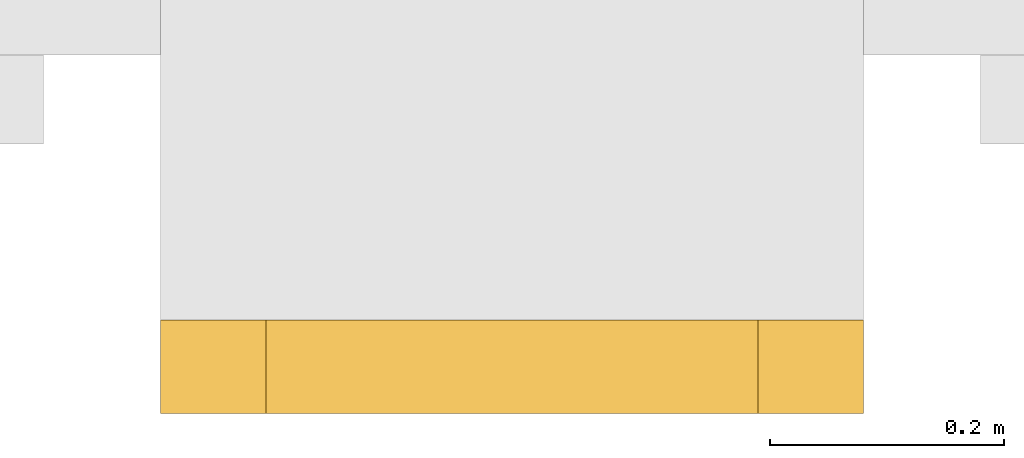
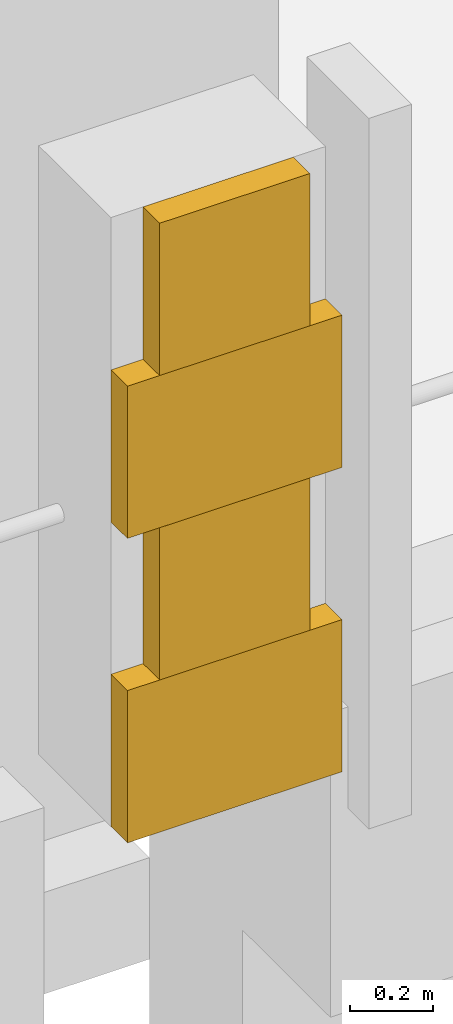
# One storey, part 52 of 52: 4 coverings.
"""IFC4 building model written with IfcOpenShell, lengths in metres."""

from ifc_helpers import new_model, si_unit, direction, frame, origin, place, context, subcontext, project, spatial, polyline, outline, extrude, material, layer, layer_set, type_object, element, save


model = new_model("IFC4")

# Units and contexts
model_context = context("Model", 3, precision=1e-05, world=origin(), true_north=direction((0.0, 1.0)))
body_context = subcontext(model_context, "Body", "Model", "MODEL_VIEW")
ifc_project = project(units=[si_unit("LENGTHUNIT", "METRE"), si_unit("AREAUNIT", "SQUARE_METRE"), si_unit("VOLUMEUNIT", "CUBIC_METRE"), si_unit("PLANEANGLEUNIT", "RADIAN"), si_unit("MASSUNIT", "GRAM", prefix="KILO")], contexts=[model_context])

# Site, building, storey
site_placement = place(None, origin())
site = spatial("IfcSite", under=ifc_project, at=site_placement, CompositionType="ELEMENT")
building_placement = place(site_placement, origin())
building = spatial("IfcBuilding", under=site, at=building_placement, Name="Cour d'Honneur Mobility Palace", CompositionType="ELEMENT")
storey_placement = place(building_placement, frame((0.0, 0.0, 23.0)))
storey = spatial("IfcBuildingStorey", under=building, at=storey_placement, Name="L06", CompositionType="ELEMENT", Elevation=23.0)

# Coverings
ifc_material = material(Name="Cast limestone", Category="masonry")
ifc_layer = layer(ifc_material, 0.080078125)
ifc_layer_set = layer_set([ifc_layer], Name="Cast limestone")
covering_type = type_object("IfcCoveringType", Name="Quoin block", PredefinedType="CLADDING", material=ifc_layer_set)
covering_1_placement = place(storey_placement, frame((0.0, 0.0, 0.300048828125)))
element("IfcCovering", 1, at=covering_1_placement, inside=storey, type_object=covering_type, Name="Quoin block QN-45", PredefinedType="CLADDING", context=body_context, shape_type="SweptSolid", body=[
    extrude(outline(polyline([(153.300048828125, -0.800048828125), (153.89990234375, -0.800048828125), (153.89990234375, -0.8798828125), (153.300048828125, -0.8798828125), (153.300048828125, -0.800048828125)])), origin(), (0.0, 0.0, 1.0), 0.449951171875),
])
covering_2_placement = place(storey_placement, frame((0.0, 0.0, 0.75)))
element("IfcCovering", 2, at=covering_2_placement, inside=storey, type_object=covering_type, Name="Quoin block QN-46", PredefinedType="CLADDING", context=body_context, shape_type="SweptSolid", body=[
    extrude(outline(polyline([(153.389892578125, -0.800048828125), (153.81005859375, -0.800048828125), (153.81005859375, -0.8798828125), (153.389892578125, -0.8798828125), (153.389892578125, -0.800048828125)])), origin(), (0.0, 0.0, 1.0), 0.449951171875),
])
covering_3_placement = place(storey_placement, frame((0.0, 0.0, 1.199951171875)))
element("IfcCovering", 3, at=covering_3_placement, inside=storey, type_object=covering_type, Name="Quoin block QN-47", PredefinedType="CLADDING", context=body_context, shape_type="SweptSolid", body=[
    extrude(outline(polyline([(153.300048828125, -0.800048828125), (153.89990234375, -0.800048828125), (153.89990234375, -0.8798828125), (153.300048828125, -0.8798828125), (153.300048828125, -0.800048828125)])), origin(), (0.0, 0.0, 1.0), 0.449951171875),
])
covering_4_placement = place(storey_placement, frame((0.0, 0.0, 1.64990234375)))
element("IfcCovering", 4, at=covering_4_placement, inside=storey, type_object=covering_type, Name="Quoin block QN-48", PredefinedType="CLADDING", context=body_context, shape_type="SweptSolid", body=[
    extrude(outline(polyline([(153.389892578125, -0.800048828125), (153.81005859375, -0.800048828125), (153.81005859375, -0.8798828125), (153.389892578125, -0.8798828125), (153.389892578125, -0.800048828125)])), origin(), (0.0, 0.0, 1.0), 0.4501953125),
])

save(model, "model.ifc")
